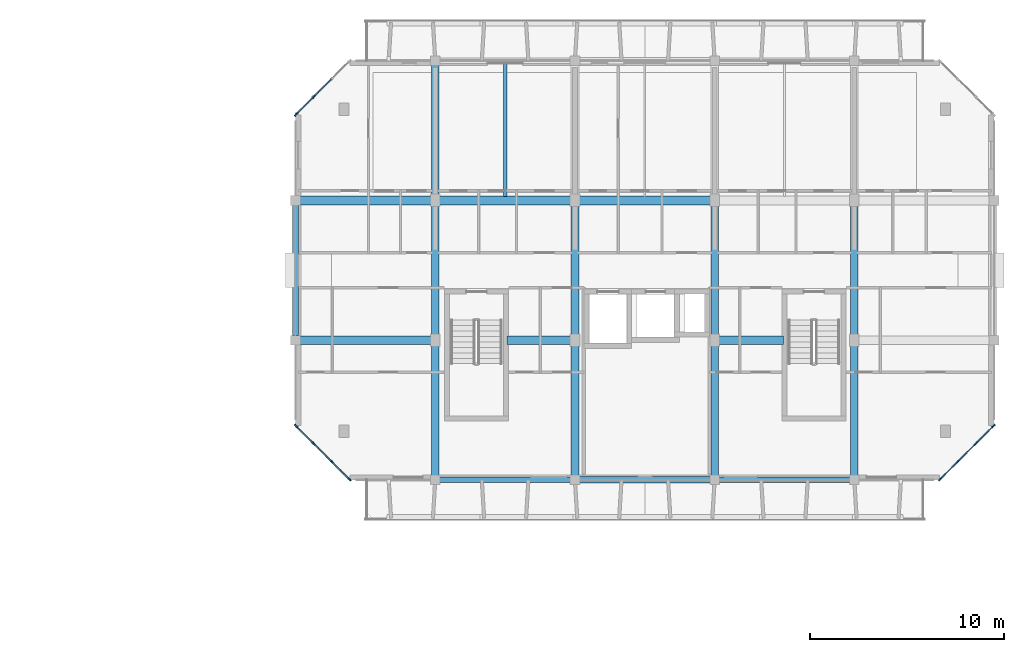
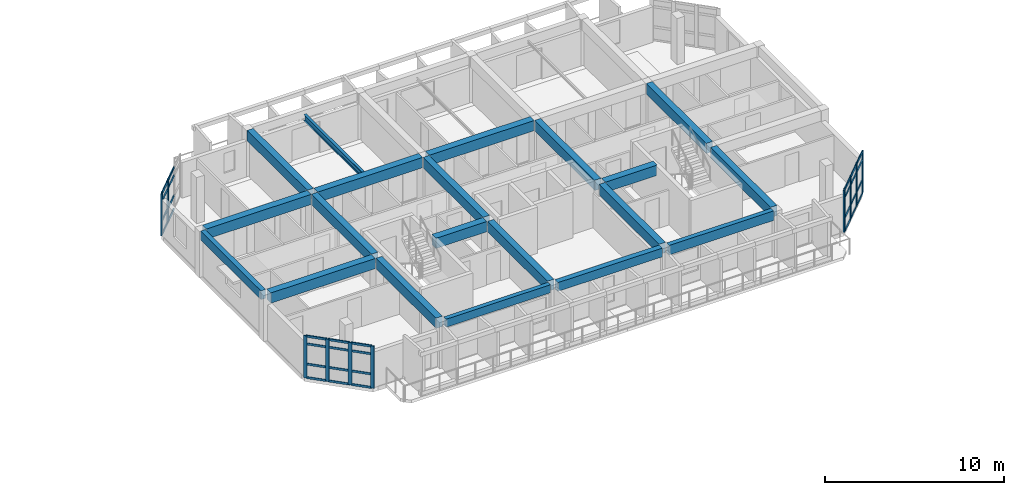
# One storey, part 9 of 44: 42 members, 20 beams, 3 elements without a shape of their own.
"""IFC4 building model written with IfcOpenShell, lengths in metres."""

import ifcopenshell
import ifcopenshell.guid

model = None  # the IFC model being written
_history = None  # IfcOwnerHistory: only IFC2X3 demands one
_inside = {}  # id of a spatial element -> (the spatial element, [elements in it])
_under = {}  # id of a project, library or spatial element -> (it, [spatial elements below it])
_declared = {}  # id of a project -> (the project, [libraries it declares])
_typed = {}  # id of a type object -> (the type object, [elements of that type])
_made_of = {}  # id of a material, layer set ... -> (it, [elements and type objects made of it])


def new_model(schema):
    """Start an empty IFC model of exactly this schema.

    Asked for "IFC4X3", IfcOpenShell would pick the latest addendum, in which some entities
    have other attributes; the version numbers below select the first issue.
    IFC2X3 requires an IfcOwnerHistory on every rooted entity: one is made here for all.
    """
    global model, _history
    if schema == "IFC4X3":
        model = ifcopenshell.file(schema_version=(4, 3, 0, 0))
    else:
        model = ifcopenshell.file(schema=schema)
    _inside.clear()
    _under.clear()
    _declared.clear()
    _typed.clear()
    _made_of.clear()
    _history = None
    if model.schema == "IFC2X3":
        org = make("IfcOrganization", Name="unknown")
        user = make(
            "IfcPersonAndOrganization",
            ThePerson=make("IfcPerson", FamilyName="unknown"),
            TheOrganization=org,
        )
        app = make(
            "IfcApplication",
            ApplicationDeveloper=org,
            Version="unknown",
            ApplicationFullName="unknown",
            ApplicationIdentifier="unknown",
        )
        _history = make(
            "IfcOwnerHistory",
            OwningUser=user,
            OwningApplication=app,
            ChangeAction="ADDED",
            CreationDate=0,
        )
    return model


def make(cls, **values):
    """One entity of the class cls with the attributes given. An attribute that is None is left unset."""
    return model.create_entity(
        cls, **{name: value for name, value in values.items() if value is not None}
    )


def rooted(cls, **values):
    """An entity with a GlobalId (a new one), such as an element, a storey or a relation."""
    return make(cls, GlobalId=ifcopenshell.guid.new(), OwnerHistory=_history, **values)


def si_unit(unit_type, name, prefix=None):
    """IfcSIUnit, for example si_unit("LENGTHUNIT", "METRE", prefix="MILLI")."""
    return make("IfcSIUnit", UnitType=unit_type, Prefix=prefix, Name=name)


def assignment(units):
    """IfcUnitAssignment: the units of a project."""
    return None if units is None else make("IfcUnitAssignment", Units=units)


def point(xyz):
    """IfcCartesianPoint."""
    return None if xyz is None else make("IfcCartesianPoint", Coordinates=xyz)


def direction(xyz):
    """IfcDirection."""
    return None if xyz is None else make("IfcDirection", DirectionRatios=xyz)


def frame(location, z_axis=None, x_axis=None):
    """IfcAxis2Placement3D, a coordinate frame: its origin and axes. An axis left out is left unset."""
    return make(
        "IfcAxis2Placement3D",
        Location=point(location),
        Axis=direction(z_axis),
        RefDirection=direction(x_axis),
    )


def frame_2d(location, x_axis=None):
    """IfcAxis2Placement2D, a coordinate frame in the plane: its origin and x axis."""
    return make(
        "IfcAxis2Placement2D", Location=point(location), RefDirection=direction(x_axis)
    )


def origin():
    """The frame at (0, 0, 0) with its axes left unset."""
    return frame((0.0, 0.0, 0.0))


def origin_2d():
    """The frame at (0, 0) in the plane with its x axis left unset."""
    return frame_2d((0.0, 0.0))


def place(relative_to, where):
    """IfcLocalPlacement: puts the frame where relative to a parent placement (None: the world)."""
    return make(
        "IfcLocalPlacement", PlacementRelTo=relative_to, RelativePlacement=where
    )


def context(
    kind, dimensions, precision=None, world=None, true_north=None, identifier=None
):
    """IfcGeometricRepresentationContext, for example the 3D "Model" context."""
    return make(
        "IfcGeometricRepresentationContext",
        ContextIdentifier=identifier,
        ContextType=kind,
        CoordinateSpaceDimension=dimensions,
        Precision=precision,
        WorldCoordinateSystem=world,
        TrueNorth=true_north,
    )


def subcontext(parent, identifier, kind, view, scale=None):
    """IfcGeometricRepresentationSubContext, for example "Body" below "Model"."""
    return make(
        "IfcGeometricRepresentationSubContext",
        ContextIdentifier=identifier,
        ContextType=kind,
        ParentContext=parent,
        TargetScale=scale,
        TargetView=view,
    )


def project(units=None, contexts=None):
    """IfcProject with its units and contexts."""
    return rooted(
        "IfcProject",
        Name="project",
        RepresentationContexts=contexts,
        UnitsInContext=assignment(units),
    )


def spatial(cls, under=None, at=None, **own):
    """A site, building, storey or space (cls), placed at a placement, below another one or the project."""
    s = rooted(cls, ObjectPlacement=at, **own)
    if under is not None:
        _under.setdefault(under.id(), (under, []))[1].append(s)
    return s


def profile(cls, at=None, kind="AREA", **sizes):
    """A parametric profile (cls). Its sizes go by their IFC names, for example OverallWidth=200.0."""
    return make(cls, ProfileType=kind, Position=at, **sizes)


def rectangle(**sizes):
    """IfcRectangleProfileDef."""
    return profile("IfcRectangleProfileDef", **sizes)


def i_section(**sizes):
    """IfcIShapeProfileDef."""
    return profile("IfcIShapeProfileDef", **sizes)


def extrude(swept, where, along, depth):
    """IfcExtrudedAreaSolid: the profile swept, set in the frame where, extruded along a direction by depth."""
    return make(
        "IfcExtrudedAreaSolid",
        SweptArea=swept,
        Position=where,
        ExtrudedDirection=direction(along),
        Depth=depth,
    )


def shape(context_of_items, identifier, shape_type, items):
    """IfcShapeRepresentation: the items that make up one representation, for example the "Body"."""
    return make(
        "IfcShapeRepresentation",
        ContextOfItems=context_of_items,
        RepresentationIdentifier=identifier,
        RepresentationType=shape_type,
        Items=items,
    )


def material(Name=None, Category=None):
    """IfcMaterial."""
    return make("IfcMaterial", Name=Name, Category=Category)


def layer(
    of_material, thickness, ventilated=None, Name=None, Category=None, Priority=None
):
    """IfcMaterialLayer: one layer of a wall or slab, of a material (None: an air gap)."""
    return make(
        "IfcMaterialLayer",
        Material=of_material,
        LayerThickness=thickness,
        IsVentilated=ventilated,
        Name=Name,
        Category=Category,
        Priority=Priority,
    )


def layer_set(layers, Name=None):
    """IfcMaterialLayerSet."""
    return make("IfcMaterialLayerSet", MaterialLayers=layers, LayerSetName=Name)


def material_profile(
    of_material, cross_section, Name=None, Category=None, Priority=None
):
    """IfcMaterialProfile: a cross section and its material."""
    return make(
        "IfcMaterialProfile",
        Name=Name,
        Material=of_material,
        Profile=cross_section,
        Priority=Priority,
        Category=Category,
    )


def profile_set(profiles, Name=None, composite=None):
    """IfcMaterialProfileSet."""
    return make(
        "IfcMaterialProfileSet",
        Name=Name,
        MaterialProfiles=profiles,
        CompositeProfile=composite,
    )


def made_of(thing, what):
    """Note that an element or type object is made of a material, layer set ...; save() writes the relation."""
    if what is not None:
        _made_of.setdefault(what.id(), (what, []))[1].append(thing)
    return thing


def type_object(cls, material=None, **own):
    """A type object (cls), such as IfcWallType, which elements share."""
    return made_of(rooted(cls, **own), material)


def element(
    cls,
    number,
    at=None,
    inside=None,
    cuts=None,
    type_object=None,
    material=None,
    context=None,
    identifier="Body",
    shape_type=None,
    held_by="IfcProductDefinitionShape",
    body=None,
    shapes=None,
    **own,
):
    """One element of the class cls, such as IfcWall. Its Tag is "e" and its number.

    at: its placement. inside: the storey or other place that contains it. cuts: it is an
    opening in that element (IfcRelVoidsElement). A single representation is given by context,
    identifier, shape_type and body (its items); several are given by shapes. held_by: the class
    of the entity that holds the representations. save() writes the other relations.
    """
    e = rooted(cls, Tag="e%d" % number, ObjectPlacement=at, **own)
    if body is not None:
        shapes = [shape(context, identifier, shape_type, body)]
    if shapes is not None:
        e.Representation = make(held_by, Representations=shapes)
    if inside is not None:
        _inside.setdefault(inside.id(), (inside, []))[1].append(e)
    if cuts is not None:
        rooted(
            "IfcRelVoidsElement", RelatingBuildingElement=cuts, RelatedOpeningElement=e
        )
    if type_object is not None:
        _typed.setdefault(type_object.id(), (type_object, []))[1].append(e)
    return made_of(e, material)


def aggregate(whole, parts):
    """IfcRelAggregates: a whole, such as a stair, and the parts it consists of."""
    return rooted("IfcRelAggregates", RelatingObject=whole, RelatedObjects=parts)


def save(model, path):
    """Write the relations noted so far, then the file.

    IfcRelAggregates (storeys below a building ...), IfcRelContainedInSpatialStructure (elements
    in a storey), IfcRelDefinesByType, IfcRelAssociatesMaterial and IfcRelDeclares: one each for
    every whole, place, type object, material and project.
    """
    for whole, parts in _under.values():
        aggregate(whole, parts)
    for where, things in _inside.values():
        rooted(
            "IfcRelContainedInSpatialStructure",
            RelatedElements=things,
            RelatingStructure=where,
        )
    for kind, things in _typed.values():
        rooted("IfcRelDefinesByType", RelatedObjects=things, RelatingType=kind)
    for what, things in _made_of.values():
        rooted("IfcRelAssociatesMaterial", RelatedObjects=things, RelatingMaterial=what)
    for by, libraries in _declared.values():
        rooted("IfcRelDeclares", RelatingContext=by, RelatedDefinitions=libraries)
    model.write(path)


model = new_model("IFC4")

# Units and contexts
model_context = context("Model", 3, precision=1e-05, world=origin(), true_north=direction((0.0, 1.0)))
body_context = subcontext(model_context, "Body", "Model", "MODEL_VIEW")
ifc_project = project(units=[si_unit("LENGTHUNIT", "METRE"), si_unit("AREAUNIT", "SQUARE_METRE"), si_unit("VOLUMEUNIT", "CUBIC_METRE"), si_unit("PLANEANGLEUNIT", "RADIAN"), si_unit("MASSUNIT", "GRAM", prefix="KILO")], contexts=[model_context])

# Site, building, storey
site_placement = place(None, origin())
site = spatial("IfcSite", under=ifc_project, at=site_placement, CompositionType="ELEMENT")
building_placement = place(site_placement, origin())
building = spatial("IfcBuilding", under=site, at=building_placement, Name="Ochrevale Crest", CompositionType="ELEMENT")
storey_placement = place(building_placement, frame((0.0, 0.0, 21.300048828125)))
storey = spatial("IfcBuildingStorey", under=building, at=storey_placement, Name="L06", CompositionType="ELEMENT", Elevation=21.300048828125)

# Beams
ifc_material_1 = material(Name="Precast concrete C50/60", Category="concrete")
ifc_material_profile_1 = material_profile(ifc_material_1, rectangle(XDim=0.39990234375, YDim=0.699951171875, at=origin_2d()), Name="PC 400x700")
ifc_profile_set_1 = profile_set([ifc_material_profile_1], Name="Precast concrete C50/60")
beam_type_1 = type_object("IfcBeamType", Name="BM-PC400x700", PredefinedType="BEAM", material=ifc_profile_set_1)
for number, where, z_axis, x_axis, name in (
    (1, (136.800048828125, 72.22998046875, 2.800048828125), (0.0, 1.0, 0.0), (-1.0, 0.0, 0.0), "Block D L06 N-S beam X=136.8"),
    (2, (136.800048828125, 79.429931640625, 2.800048828125), (0.0, 1.0, 0.0), (-1.0, 0.0, 0.0), "Block D L06 N-S beam X=136.8"),
):
    element("IfcBeam", number, at=place(storey_placement, frame(where, z_axis=z_axis, x_axis=x_axis)), inside=storey, type_object=beam_type_1, Name=name, PredefinedType="BEAM", context=body_context, shape_type="SweptSolid", body=[
        extrude(rectangle(XDim=0.39990234375, YDim=0.699951171875, at=origin_2d()), origin(), (0.0, 0.0, 1.0), 6.739990234375),
    ])
beam_1_placement = place(storey_placement, frame((136.800048828125, 86.6298828125, 2.800048828125), z_axis=(0.0, 1.0, 0.0), x_axis=(-1.0, 0.0, 0.0)))
element("IfcBeam", 3, at=beam_1_placement, inside=storey, type_object=beam_type_1, Name="Block D L06 N-S beam X=136.8", PredefinedType="BEAM", context=body_context, shape_type="SweptSolid", body=[
    extrude(rectangle(XDim=0.39990234375, YDim=0.699951171875, at=origin_2d()), origin(), (0.0, 0.0, 1.0), 6.740234375),
])
for number, where, z_axis, x_axis, name in (
    (4, (144.0, 72.22998046875, 2.800048828125), (0.0, 1.0, 0.0), (-1.0, 0.0, 0.0), "Block D L06 N-S beam X=144.0"),
    (5, (144.0, 79.429931640625, 2.800048828125), (0.0, 1.0, 0.0), (-1.0, 0.0, 0.0), "Block D L06 N-S beam X=144.0"),
    (6, (151.199951171875, 72.22998046875, 2.800048828125), (0.0, 1.0, 0.0), (-1.0, 0.0, 0.0), "Block D L06 N-S beam X=151.2"),
    (7, (151.199951171875, 79.429931640625, 2.800048828125), (0.0, 1.0, 0.0), (-1.0, 0.0, 0.0), "Block D L06 N-S beam X=151.2"),
    (8, (158.39990234375, 72.22998046875, 2.800048828125), (0.0, 1.0, 0.0), (-1.0, 0.0, 0.0), "Block D L06 N-S beam X=158.4"),
    (9, (158.39990234375, 79.429931640625, 2.800048828125), (0.0, 1.0, 0.0), (-1.0, 0.0, 0.0), "Block D L06 N-S beam X=158.4"),
):
    element("IfcBeam", number, at=place(storey_placement, frame(where, z_axis=z_axis, x_axis=x_axis)), inside=storey, type_object=beam_type_1, Name=name, PredefinedType="BEAM", context=body_context, shape_type="SweptSolid", body=[
        extrude(rectangle(XDim=0.39990234375, YDim=0.699951171875, at=origin_2d()), origin(), (0.0, 0.0, 1.0), 6.739990234375),
    ])
ifc_material_2 = material(Name="Concrete C50/60", Category="concrete")
ifc_material_profile_2 = material_profile(ifc_material_2, rectangle(XDim=0.449951171875, YDim=0.699951171875, at=origin_2d()), Name="RC 450x700")
ifc_profile_set_2 = profile_set([ifc_material_profile_2], Name="Concrete C50/60")
beam_type_2 = type_object("IfcBeamType", Name="BM-PG450x700", PredefinedType="USERDEFINED", material=ifc_profile_set_2)
beam_2_placement = place(storey_placement, frame((129.824951171875, 79.199951171875, 2.800048828125), z_axis=(1.0, 0.0, 0.0), x_axis=(0.0, 1.0, 0.0)))
element("IfcBeam", 10, at=beam_2_placement, inside=storey, type_object=beam_type_2, Name="Block D L06 E-W beam Y=79.2", ObjectType="GIRDER", PredefinedType="USERDEFINED", context=body_context, shape_type="SweptSolid", body=[
    extrude(rectangle(XDim=0.449951171875, YDim=0.699951171875, at=origin_2d()), origin(), (0.0, 0.0, 1.0), 6.75),
])
beam_3_placement = place(storey_placement, frame((140.489990234375, 79.199951171875, 2.800048828125), z_axis=(1.0, 0.0, 0.0), x_axis=(0.0, 1.0, 0.0)))
element("IfcBeam", 11, at=beam_3_placement, inside=storey, type_object=beam_type_2, Name="Block D L06 E-W beam Y=79.2", ObjectType="GIRDER", PredefinedType="USERDEFINED", context=body_context, shape_type="SweptSolid", body=[
    extrude(rectangle(XDim=0.449951171875, YDim=0.699951171875, at=origin_2d()), origin(), (0.0, 0.0, 1.0), 3.284912109375),
])
beam_4_placement = place(storey_placement, frame((151.425048828125, 79.199951171875, 2.800048828125), z_axis=(1.0, 0.0, 0.0), x_axis=(0.0, 1.0, 0.0)))
element("IfcBeam", 12, at=beam_4_placement, inside=storey, type_object=beam_type_2, Name="Block D L06 E-W beam Y=79.2", ObjectType="GIRDER", PredefinedType="USERDEFINED", context=body_context, shape_type="SweptSolid", body=[
    extrude(rectangle(XDim=0.449951171875, YDim=0.699951171875, at=origin_2d()), origin(), (0.0, 0.0, 1.0), 3.3349609375),
])
for number, where, z_axis, x_axis, name in (
    (13, (129.824951171875, 86.39990234375, 2.800048828125), (1.0, 0.0, 0.0), (0.0, 1.0, 0.0), "Block D L06 E-W beam Y=86.4"),
    (14, (137.02490234375, 86.39990234375, 2.800048828125), (1.0, 0.0, 0.0), (0.0, 1.0, 0.0), "Block D L06 E-W beam Y=86.4"),
    (15, (144.22509765625, 86.39990234375, 2.800048828125), (1.0, 0.0, 0.0), (0.0, 1.0, 0.0), "Block D L06 E-W beam Y=86.4"),
):
    element("IfcBeam", number, at=place(storey_placement, frame(where, z_axis=z_axis, x_axis=x_axis)), inside=storey, type_object=beam_type_2, Name=name, ObjectType="GIRDER", PredefinedType="USERDEFINED", context=body_context, shape_type="SweptSolid", body=[
        extrude(rectangle(XDim=0.449951171875, YDim=0.699951171875, at=origin_2d()), origin(), (0.0, 0.0, 1.0), 6.75),
    ])
ifc_material_3 = material(Name="Precast concrete C40/50", Category="concrete")
ifc_material_profile_3 = material_profile(ifc_material_3, rectangle(XDim=0.280029296875, YDim=0.550048828125, at=origin_2d()), Name="PC 280x550")
ifc_profile_set_3 = profile_set([ifc_material_profile_3], Name="Precast concrete C40/50")
beam_type_3 = type_object("IfcBeamType", Name="BM-SP280x550", PredefinedType="SPANDREL", material=ifc_profile_set_3)
beam_5_placement = place(storey_placement, frame((137.02490234375, 72.0, 2.875), z_axis=(1.0, 0.0, 0.0), x_axis=(0.0, 1.0, 0.0)))
element("IfcBeam", 16, at=beam_5_placement, inside=storey, type_object=beam_type_3, Name="Block D L06 E-W beam Y=72.0", PredefinedType="SPANDREL", context=body_context, shape_type="SweptSolid", body=[
    extrude(rectangle(XDim=0.280029296875, YDim=0.550048828125, at=origin_2d()), origin(), (0.0, 0.0, 1.0), 6.75),
])
ifc_material_profile_4 = material_profile(ifc_material_3, rectangle(XDim=0.300048828125, YDim=0.60009765625, at=origin_2d()), Name="PC 300x600")
ifc_profile_set_4 = profile_set([ifc_material_profile_4], Name="Precast concrete C40/50")
beam_type_4 = type_object("IfcBeamType", Name="BM-SP300x600", PredefinedType="SPANDREL", material=ifc_profile_set_4)
beam_6_placement = place(storey_placement, frame((129.60009765625, 79.429931640625, 2.849853515625), z_axis=(0.0, 1.0, 0.0), x_axis=(-1.0, 0.0, 0.0)))
element("IfcBeam", 17, at=beam_6_placement, inside=storey, type_object=beam_type_4, Name="Block D L06 N-S beam X=129.6", PredefinedType="SPANDREL", context=body_context, shape_type="SweptSolid", body=[
    extrude(rectangle(XDim=0.300048828125, YDim=0.60009765625, at=origin_2d()), origin(), (0.0, 0.0, 1.0), 6.739990234375),
])
ifc_material_profile_5 = material_profile(ifc_material_3, rectangle(XDim=0.300048828125, YDim=0.64990234375, at=origin_2d()), Name="PC 300x650")
ifc_profile_set_5 = profile_set([ifc_material_profile_5], Name="Precast concrete C40/50")
beam_type_5 = type_object("IfcBeamType", Name="BM-SP300x650", PredefinedType="SPANDREL", material=ifc_profile_set_5)
beam_7_placement = place(storey_placement, frame((151.425048828125, 72.0, 2.824951171875), z_axis=(1.0, 0.0, 0.0), x_axis=(0.0, 1.0, 0.0)))
element("IfcBeam", 18, at=beam_7_placement, inside=storey, type_object=beam_type_5, Name="Block D L06 E-W beam Y=72.0", PredefinedType="SPANDREL", context=body_context, shape_type="SweptSolid", body=[
    extrude(rectangle(XDim=0.300048828125, YDim=0.64990234375, at=origin_2d()), origin(), (0.0, 0.0, 1.0), 6.75),
])
ifc_material_profile_6 = material_profile(ifc_material_3, rectangle(XDim=0.35009765625, YDim=0.60009765625, at=origin_2d()), Name="PC 350x600")
ifc_profile_set_6 = profile_set([ifc_material_profile_6], Name="Precast concrete C40/50")
beam_type_6 = type_object("IfcBeamType", Name="BM-SP350x600", PredefinedType="SPANDREL", material=ifc_profile_set_6)
beam_8_placement = place(storey_placement, frame((144.22509765625, 72.0, 2.849853515625), z_axis=(1.0, 0.0, 0.0), x_axis=(0.0, 1.0, 0.0)))
element("IfcBeam", 19, at=beam_8_placement, inside=storey, type_object=beam_type_6, Name="Block D L06 E-W beam Y=72.0", PredefinedType="SPANDREL", context=body_context, shape_type="SweptSolid", body=[
    extrude(rectangle(XDim=0.35009765625, YDim=0.60009765625, at=origin_2d()), origin(), (0.0, 0.0, 1.0), 6.75),
])
ifc_material_4 = material(Name="Steel S355", Category="steel")
ifc_material_profile_7 = material_profile(ifc_material_4, i_section(OverallWidth=0.177734375, OverallDepth=0.402587890625, WebThickness=0.007568359375, FlangeThickness=0.010986328125, FilletRadius=0.011474609375, at=origin_2d()), Name="410UB53.7")
ifc_profile_set_7 = profile_set([ifc_material_profile_7], Name="Steel S355")
beam_type_7 = type_object("IfcBeamType", Name="BM-UB410A", PredefinedType="BEAM", material=ifc_profile_set_7)
beam_9_placement = place(storey_placement, frame((140.39990234375, 86.613037109375, 2.673583984375), z_axis=(0.0, 1.0, 0.0), x_axis=(-1.0, 0.0, 0.0)))
element("IfcBeam", 20, at=beam_9_placement, inside=storey, type_object=beam_type_7, Name="Block D L06 composite plank trimmer beam 2", PredefinedType="BEAM", context=body_context, shape_type="SweptSolid", body=[
    extrude(i_section(OverallWidth=0.177734375, OverallDepth=0.402587890625, WebThickness=0.007568359375, FlangeThickness=0.010986328125, FilletRadius=0.011474609375, at=origin_2d()), origin(), (0.0, 0.0, 1.0), 6.85888671875),
])

# Curtain wall, members
ifc_material_5 = material(Name="Anodised aluminium 6063-T5", Category="aluminium")
ifc_layer_1 = layer(ifc_material_5, 0.14990234375)
ifc_layer_set_1 = layer_set([ifc_layer_1], Name="Anodised aluminium 6063-T5")
curtain_wall_type_1 = type_object("IfcCurtainWallType", Name="CW-WG-360x285", PredefinedType="NOTDEFINED", material=ifc_layer_set_1)
curtain_wall_1_placement = place(storey_placement, origin())
curtain_wall_1 = element("IfcCurtainWall", 21, at=curtain_wall_1_placement, inside=storey, type_object=curtain_wall_type_1, Name="Block D L06 chamfered corner wintergarden curtain wall 2", PredefinedType="NOTDEFINED")
ifc_material_profile_8 = material_profile(ifc_material_5, rectangle(XDim=0.074951171875, YDim=0.219970703125, at=origin_2d()), Name="ALU 75x220")
ifc_profile_set_8 = profile_set([ifc_material_profile_8], Name="Anodised aluminium 6063-T5")
member_type_1 = type_object("IfcMemberType", Name="CW-MUL-75x220", PredefinedType="MULLION", material=ifc_profile_set_8)
member_1_placement = place(storey_placement, frame((162.826416015625, 72.026611328125, 0.0), z_axis=(0.0, 0.0, 1.0), x_axis=(-0.707106781187, 0.707106781187, 0.0)))
member_1 = element("IfcMember", 22, at=member_1_placement, type_object=member_type_1, Name="CW18 mullion 1", PredefinedType="MULLION", context=body_context, shape_type="SweptSolid", body=[
    extrude(rectangle(XDim=0.074951171875, YDim=0.219970703125, at=origin_2d()), origin(), (0.0, 0.0, 1.0), 2.875),
])
member_2_placement = place(storey_placement, frame((163.7333984375, 72.933349609375, 0.0), z_axis=(0.0, 0.0, 1.0), x_axis=(-0.707106781187, 0.707106781187, 0.0)))
member_2 = element("IfcMember", 23, at=member_2_placement, type_object=member_type_1, Name="CW18 mullion 2", PredefinedType="MULLION", context=body_context, shape_type="SweptSolid", body=[
    extrude(rectangle(XDim=0.074951171875, YDim=0.219970703125, at=origin_2d()), origin(), (0.0, 0.0, 1.0), 2.875),
])
member_3_placement = place(storey_placement, frame((164.666748046875, 73.86669921875, 0.0), z_axis=(0.0, 0.0, 1.0), x_axis=(-0.707106781187, 0.707106781187, 0.0)))
member_3 = element("IfcMember", 24, at=member_3_placement, type_object=member_type_1, Name="CW18 mullion 3", PredefinedType="MULLION", context=body_context, shape_type="SweptSolid", body=[
    extrude(rectangle(XDim=0.074951171875, YDim=0.219970703125, at=origin_2d()), origin(), (0.0, 0.0, 1.0), 2.875),
])
member_4_placement = place(storey_placement, frame((165.573486328125, 74.7734375, 0.0), z_axis=(0.0, 0.0, 1.0), x_axis=(-0.707106781187, 0.707106781187, 0.0)))
member_4 = element("IfcMember", 25, at=member_4_placement, type_object=member_type_1, Name="CW18 mullion 4", PredefinedType="MULLION", context=body_context, shape_type="SweptSolid", body=[
    extrude(rectangle(XDim=0.074951171875, YDim=0.219970703125, at=origin_2d()), origin(), (0.0, 0.0, 1.0), 2.875),
])

ifc_layer_2 = layer(ifc_material_5, 0.14990234375)
ifc_layer_set_2 = layer_set([ifc_layer_2], Name="Anodised aluminium 6063-T5")
curtain_wall_type_2 = type_object("IfcCurtainWallType", Name="CW-WG-320x285", PredefinedType="NOTDEFINED", material=ifc_layer_set_2)
curtain_wall_2_placement = place(storey_placement, origin())
curtain_wall_2 = element("IfcCurtainWall", 26, at=curtain_wall_2_placement, inside=storey, type_object=curtain_wall_type_2, Name="Block D L06 chamfered corner wintergarden curtain wall 6", PredefinedType="NOTDEFINED")
member_5_placement = place(storey_placement, frame((130.533447265625, 91.7333984375, 0.0), z_axis=(0.0, 0.0, 1.0), x_axis=(0.707106781187, -0.707106781187, 0.0)))
member_5 = element("IfcMember", 27, at=member_5_placement, type_object=member_type_1, Name="CW17 mullion 3", PredefinedType="MULLION", context=body_context, shape_type="SweptSolid", body=[
    extrude(rectangle(XDim=0.074951171875, YDim=0.219970703125, at=origin_2d()), origin(), (0.0, 0.0, 1.0), 2.875),
])
member_6_placement = place(storey_placement, frame((129.62646484375, 90.826416015625, 0.0), z_axis=(0.0, 0.0, 1.0), x_axis=(0.707106781187, -0.707106781187, 0.0)))
member_6 = element("IfcMember", 28, at=member_6_placement, type_object=member_type_1, Name="CW17 mullion 4", PredefinedType="MULLION", context=body_context, shape_type="SweptSolid", body=[
    extrude(rectangle(XDim=0.074951171875, YDim=0.219970703125, at=origin_2d()), origin(), (0.0, 0.0, 1.0), 2.875),
])

ifc_layer_3 = layer(ifc_material_5, 0.14990234375)
ifc_layer_set_3 = layer_set([ifc_layer_3], Name="Anodised aluminium 6063-T5")
curtain_wall_type_3 = type_object("IfcCurtainWallType", Name="CW-WG-420x285", PredefinedType="NOTDEFINED", material=ifc_layer_set_3)
curtain_wall_3_placement = place(storey_placement, origin())
curtain_wall_3 = element("IfcCurtainWall", 29, at=curtain_wall_3_placement, inside=storey, type_object=curtain_wall_type_3, Name="Block D L06 chamfered corner wintergarden curtain wall 8", PredefinedType="NOTDEFINED")
member_7_placement = place(storey_placement, frame((129.62646484375, 74.7734375, 0.0), z_axis=(0.0, 0.0, 1.0), x_axis=(0.707106781187, 0.707106781187, 0.0)))
member_7 = element("IfcMember", 30, at=member_7_placement, type_object=member_type_1, Name="CW22 mullion 1", PredefinedType="MULLION", context=body_context, shape_type="SweptSolid", body=[
    extrude(rectangle(XDim=0.074951171875, YDim=0.219970703125, at=origin_2d()), origin(), (0.0, 0.0, 1.0), 2.875),
])
member_8_placement = place(storey_placement, frame((130.533447265625, 73.86669921875, 0.0), z_axis=(0.0, 0.0, 1.0), x_axis=(0.707106781187, 0.707106781187, 0.0)))
member_8 = element("IfcMember", 31, at=member_8_placement, type_object=member_type_1, Name="CW22 mullion 2", PredefinedType="MULLION", context=body_context, shape_type="SweptSolid", body=[
    extrude(rectangle(XDim=0.074951171875, YDim=0.219970703125, at=origin_2d()), origin(), (0.0, 0.0, 1.0), 2.875),
])
member_9_placement = place(storey_placement, frame((131.466552734375, 72.933349609375, 0.0), z_axis=(0.0, 0.0, 1.0), x_axis=(0.707106781187, 0.707106781187, 0.0)))
member_9 = element("IfcMember", 32, at=member_9_placement, type_object=member_type_1, Name="CW22 mullion 3", PredefinedType="MULLION", context=body_context, shape_type="SweptSolid", body=[
    extrude(rectangle(XDim=0.074951171875, YDim=0.219970703125, at=origin_2d()), origin(), (0.0, 0.0, 1.0), 2.875),
])
member_10_placement = place(storey_placement, frame((132.37353515625, 72.026611328125, 0.0), z_axis=(0.0, 0.0, 1.0), x_axis=(0.707106781187, 0.707106781187, 0.0)))
member_10 = element("IfcMember", 33, at=member_10_placement, type_object=member_type_1, Name="CW22 mullion 4", PredefinedType="MULLION", context=body_context, shape_type="SweptSolid", body=[
    extrude(rectangle(XDim=0.074951171875, YDim=0.219970703125, at=origin_2d()), origin(), (0.0, 0.0, 1.0), 2.875),
])

# Member
ifc_material_profile_9 = material_profile(ifc_material_5, rectangle(XDim=0.06005859375, YDim=0.14990234375, at=origin_2d()), Name="ALU 60x150")
ifc_profile_set_9 = profile_set([ifc_material_profile_9], Name="Anodised aluminium 6063-T5")
member_type_2 = type_object("IfcMemberType", Name="CW-TRN-60x150", PredefinedType="USERDEFINED", material=ifc_profile_set_9)
member_11_placement = place(storey_placement, frame((162.85302734375, 72.052978515625, 0.030029296875), z_axis=(0.707106781187, 0.707106781187, 0.0), x_axis=(-0.707106781187, 0.707106781187, 0.0)))
member_11 = element("IfcMember", 34, at=member_11_placement, type_object=member_type_2, Name="CW18 transom 1.1", ObjectType="TRANSOM", PredefinedType="USERDEFINED", context=body_context, shape_type="SweptSolid", body=[
    extrude(rectangle(XDim=0.06005859375, YDim=0.14990234375, at=origin_2d()), origin(), (0.0, 0.0, 1.0), 1.20751953125),
])

member_12_placement = place(storey_placement, frame((162.85302734375, 72.052978515625, 0.949951171875), z_axis=(0.707106781187, 0.707106781187, 0.0), x_axis=(-0.707106781187, 0.707106781187, 0.0)))
member_12 = element("IfcMember", 35, at=member_12_placement, type_object=member_type_2, Name="CW18 transom 1.2", ObjectType="TRANSOM", PredefinedType="USERDEFINED", context=body_context, shape_type="SweptSolid", body=[
    extrude(rectangle(XDim=0.06005859375, YDim=0.14990234375, at=origin_2d()), origin(), (0.0, 0.0, 1.0), 1.20751953125),
])

member_13_placement = place(storey_placement, frame((162.85302734375, 72.052978515625, 2.324951171875), z_axis=(0.707106781187, 0.707106781187, 0.0), x_axis=(-0.707106781187, 0.707106781187, 0.0)))
member_13 = element("IfcMember", 36, at=member_13_placement, type_object=member_type_2, Name="CW18 transom 1.3", ObjectType="TRANSOM", PredefinedType="USERDEFINED", context=body_context, shape_type="SweptSolid", body=[
    extrude(rectangle(XDim=0.06005859375, YDim=0.14990234375, at=origin_2d()), origin(), (0.0, 0.0, 1.0), 1.20751953125),
])

member_14_placement = place(storey_placement, frame((162.85302734375, 72.052978515625, 2.844970703125), z_axis=(0.707106781187, 0.707106781187, 0.0), x_axis=(-0.707106781187, 0.707106781187, 0.0)))
member_14 = element("IfcMember", 37, at=member_14_placement, type_object=member_type_2, Name="CW18 transom 1.4", ObjectType="TRANSOM", PredefinedType="USERDEFINED", context=body_context, shape_type="SweptSolid", body=[
    extrude(rectangle(XDim=0.06005859375, YDim=0.14990234375, at=origin_2d()), origin(), (0.0, 0.0, 1.0), 1.20751953125),
])

member_15_placement = place(storey_placement, frame((163.759765625, 72.9599609375, 0.030029296875), z_axis=(0.707204833848, 0.707008714926, 0.0), x_axis=(-0.707008714926, 0.707204833848, 0.0)))
member_15 = element("IfcMember", 38, at=member_15_placement, type_object=member_type_2, Name="CW18 transom 2.1", ObjectType="TRANSOM", PredefinedType="USERDEFINED", context=body_context, shape_type="SweptSolid", body=[
    extrude(rectangle(XDim=0.06005859375, YDim=0.14990234375, at=origin_2d()), origin(), (0.0, 0.0, 1.0), 1.244873046875),
])

member_16_placement = place(storey_placement, frame((163.759765625, 72.9599609375, 0.949951171875), z_axis=(0.707204833848, 0.707008714926, 0.0), x_axis=(-0.707008714926, 0.707204833848, 0.0)))
member_16 = element("IfcMember", 39, at=member_16_placement, type_object=member_type_2, Name="CW18 transom 2.2", ObjectType="TRANSOM", PredefinedType="USERDEFINED", context=body_context, shape_type="SweptSolid", body=[
    extrude(rectangle(XDim=0.06005859375, YDim=0.14990234375, at=origin_2d()), origin(), (0.0, 0.0, 1.0), 1.244873046875),
])

member_17_placement = place(storey_placement, frame((163.759765625, 72.9599609375, 2.324951171875), z_axis=(0.707204833848, 0.707008714926, 0.0), x_axis=(-0.707008714926, 0.707204833848, 0.0)))
member_17 = element("IfcMember", 40, at=member_17_placement, type_object=member_type_2, Name="CW18 transom 2.3", ObjectType="TRANSOM", PredefinedType="USERDEFINED", context=body_context, shape_type="SweptSolid", body=[
    extrude(rectangle(XDim=0.06005859375, YDim=0.14990234375, at=origin_2d()), origin(), (0.0, 0.0, 1.0), 1.244873046875),
])

member_18_placement = place(storey_placement, frame((163.759765625, 72.9599609375, 2.844970703125), z_axis=(0.707204833848, 0.707008714926, 0.0), x_axis=(-0.707008714926, 0.707204833848, 0.0)))
member_18 = element("IfcMember", 41, at=member_18_placement, type_object=member_type_2, Name="CW18 transom 2.4", ObjectType="TRANSOM", PredefinedType="USERDEFINED", context=body_context, shape_type="SweptSolid", body=[
    extrude(rectangle(XDim=0.06005859375, YDim=0.14990234375, at=origin_2d()), origin(), (0.0, 0.0, 1.0), 1.244873046875),
])

member_19_placement = place(storey_placement, frame((164.693115234375, 73.89306640625, 0.030029296875), z_axis=(0.707005686502, 0.70720786142, 0.0), x_axis=(-0.70720786142, 0.707005686502, 0.0)))
member_19 = element("IfcMember", 42, at=member_19_placement, type_object=member_type_2, Name="CW18 transom 3.1", ObjectType="TRANSOM", PredefinedType="USERDEFINED", context=body_context, shape_type="SweptSolid", body=[
    extrude(rectangle(XDim=0.06005859375, YDim=0.14990234375, at=origin_2d()), origin(), (0.0, 0.0, 1.0), 1.20751953125),
])

member_20_placement = place(storey_placement, frame((164.693115234375, 73.89306640625, 0.949951171875), z_axis=(0.707005686502, 0.70720786142, 0.0), x_axis=(-0.70720786142, 0.707005686502, 0.0)))
member_20 = element("IfcMember", 43, at=member_20_placement, type_object=member_type_2, Name="CW18 transom 3.2", ObjectType="TRANSOM", PredefinedType="USERDEFINED", context=body_context, shape_type="SweptSolid", body=[
    extrude(rectangle(XDim=0.06005859375, YDim=0.14990234375, at=origin_2d()), origin(), (0.0, 0.0, 1.0), 1.20751953125),
])

member_21_placement = place(storey_placement, frame((164.693115234375, 73.89306640625, 2.324951171875), z_axis=(0.707005686502, 0.70720786142, 0.0), x_axis=(-0.70720786142, 0.707005686502, 0.0)))
member_21 = element("IfcMember", 44, at=member_21_placement, type_object=member_type_2, Name="CW18 transom 3.3", ObjectType="TRANSOM", PredefinedType="USERDEFINED", context=body_context, shape_type="SweptSolid", body=[
    extrude(rectangle(XDim=0.06005859375, YDim=0.14990234375, at=origin_2d()), origin(), (0.0, 0.0, 1.0), 1.20751953125),
])

member_22_placement = place(storey_placement, frame((164.693115234375, 73.89306640625, 2.844970703125), z_axis=(0.707005686502, 0.70720786142, 0.0), x_axis=(-0.70720786142, 0.707005686502, 0.0)))
member_22 = element("IfcMember", 45, at=member_22_placement, type_object=member_type_2, Name="CW18 transom 3.4", ObjectType="TRANSOM", PredefinedType="USERDEFINED", context=body_context, shape_type="SweptSolid", body=[
    extrude(rectangle(XDim=0.06005859375, YDim=0.14990234375, at=origin_2d()), origin(), (0.0, 0.0, 1.0), 1.20751953125),
])

aggregate(curtain_wall_1, [member_1, member_2, member_3, member_4, member_11, member_12, member_13, member_14, member_15, member_16, member_17, member_18, member_19, member_20, member_21, member_22])

member_23_placement = place(storey_placement, frame((131.440185546875, 92.64013671875, 0.030029296875), z_axis=(-0.707106781187, -0.707106781187, 0.0), x_axis=(0.707106781187, -0.707106781187, 0.0)))
member_23 = element("IfcMember", 46, at=member_23_placement, type_object=member_type_2, Name="CW17 transom 2.1", ObjectType="TRANSOM", PredefinedType="USERDEFINED", context=body_context, shape_type="SweptSolid", body=[
    extrude(rectangle(XDim=0.06005859375, YDim=0.14990234375, at=origin_2d()), origin(), (0.0, 0.0, 1.0), 1.2451171875),
])

member_24_placement = place(storey_placement, frame((131.440185546875, 92.64013671875, 0.949951171875), z_axis=(-0.707106781187, -0.707106781187, 0.0), x_axis=(0.707106781187, -0.707106781187, 0.0)))
member_24 = element("IfcMember", 47, at=member_24_placement, type_object=member_type_2, Name="CW17 transom 2.2", ObjectType="TRANSOM", PredefinedType="USERDEFINED", context=body_context, shape_type="SweptSolid", body=[
    extrude(rectangle(XDim=0.06005859375, YDim=0.14990234375, at=origin_2d()), origin(), (0.0, 0.0, 1.0), 1.2451171875),
])

member_25_placement = place(storey_placement, frame((131.440185546875, 92.64013671875, 2.324951171875), z_axis=(-0.707106781187, -0.707106781187, 0.0), x_axis=(0.707106781187, -0.707106781187, 0.0)))
member_25 = element("IfcMember", 48, at=member_25_placement, type_object=member_type_2, Name="CW17 transom 2.3", ObjectType="TRANSOM", PredefinedType="USERDEFINED", context=body_context, shape_type="SweptSolid", body=[
    extrude(rectangle(XDim=0.06005859375, YDim=0.14990234375, at=origin_2d()), origin(), (0.0, 0.0, 1.0), 1.2451171875),
])

member_26_placement = place(storey_placement, frame((131.440185546875, 92.64013671875, 2.844970703125), z_axis=(-0.707106781187, -0.707106781187, 0.0), x_axis=(0.707106781187, -0.707106781187, 0.0)))
member_26 = element("IfcMember", 49, at=member_26_placement, type_object=member_type_2, Name="CW17 transom 2.4", ObjectType="TRANSOM", PredefinedType="USERDEFINED", context=body_context, shape_type="SweptSolid", body=[
    extrude(rectangle(XDim=0.06005859375, YDim=0.14990234375, at=origin_2d()), origin(), (0.0, 0.0, 1.0), 1.2451171875),
])

member_27_placement = place(storey_placement, frame((130.5068359375, 91.706787109375, 0.030029296875), z_axis=(-0.707106781187, -0.707106781187, 0.0), x_axis=(0.707106781187, -0.707106781187, 0.0)))
member_27 = element("IfcMember", 50, at=member_27_placement, type_object=member_type_2, Name="CW17 transom 3.1", ObjectType="TRANSOM", PredefinedType="USERDEFINED", context=body_context, shape_type="SweptSolid", body=[
    extrude(rectangle(XDim=0.06005859375, YDim=0.14990234375, at=origin_2d()), origin(), (0.0, 0.0, 1.0), 1.20751953125),
])

member_28_placement = place(storey_placement, frame((130.5068359375, 91.706787109375, 0.949951171875), z_axis=(-0.707106781187, -0.707106781187, 0.0), x_axis=(0.707106781187, -0.707106781187, 0.0)))
member_28 = element("IfcMember", 51, at=member_28_placement, type_object=member_type_2, Name="CW17 transom 3.2", ObjectType="TRANSOM", PredefinedType="USERDEFINED", context=body_context, shape_type="SweptSolid", body=[
    extrude(rectangle(XDim=0.06005859375, YDim=0.14990234375, at=origin_2d()), origin(), (0.0, 0.0, 1.0), 1.20751953125),
])

member_29_placement = place(storey_placement, frame((130.5068359375, 91.706787109375, 2.324951171875), z_axis=(-0.707106781187, -0.707106781187, 0.0), x_axis=(0.707106781187, -0.707106781187, 0.0)))
member_29 = element("IfcMember", 52, at=member_29_placement, type_object=member_type_2, Name="CW17 transom 3.3", ObjectType="TRANSOM", PredefinedType="USERDEFINED", context=body_context, shape_type="SweptSolid", body=[
    extrude(rectangle(XDim=0.06005859375, YDim=0.14990234375, at=origin_2d()), origin(), (0.0, 0.0, 1.0), 1.20751953125),
])

member_30_placement = place(storey_placement, frame((130.5068359375, 91.706787109375, 2.844970703125), z_axis=(-0.707106781187, -0.707106781187, 0.0), x_axis=(0.707106781187, -0.707106781187, 0.0)))
member_30 = element("IfcMember", 53, at=member_30_placement, type_object=member_type_2, Name="CW17 transom 3.4", ObjectType="TRANSOM", PredefinedType="USERDEFINED", context=body_context, shape_type="SweptSolid", body=[
    extrude(rectangle(XDim=0.06005859375, YDim=0.14990234375, at=origin_2d()), origin(), (0.0, 0.0, 1.0), 1.20751953125),
])

aggregate(curtain_wall_2, [member_5, member_6, member_23, member_24, member_25, member_26, member_27, member_28, member_29, member_30])

member_31_placement = place(storey_placement, frame((129.653076171875, 74.7470703125, 0.030029296875), z_axis=(0.707005686502, -0.70720786142, 0.0), x_axis=(0.70720786142, 0.707005686502, 0.0)))
member_31 = element("IfcMember", 54, at=member_31_placement, type_object=member_type_2, Name="CW22 transom 1.1", ObjectType="TRANSOM", PredefinedType="USERDEFINED", context=body_context, shape_type="SweptSolid", body=[
    extrude(rectangle(XDim=0.06005859375, YDim=0.14990234375, at=origin_2d()), origin(), (0.0, 0.0, 1.0), 1.20751953125),
])

member_32_placement = place(storey_placement, frame((129.653076171875, 74.7470703125, 0.949951171875), z_axis=(0.707005686502, -0.70720786142, 0.0), x_axis=(0.70720786142, 0.707005686502, 0.0)))
member_32 = element("IfcMember", 55, at=member_32_placement, type_object=member_type_2, Name="CW22 transom 1.2", ObjectType="TRANSOM", PredefinedType="USERDEFINED", context=body_context, shape_type="SweptSolid", body=[
    extrude(rectangle(XDim=0.06005859375, YDim=0.14990234375, at=origin_2d()), origin(), (0.0, 0.0, 1.0), 1.20751953125),
])

member_33_placement = place(storey_placement, frame((129.653076171875, 74.7470703125, 2.324951171875), z_axis=(0.707005686502, -0.70720786142, 0.0), x_axis=(0.70720786142, 0.707005686502, 0.0)))
member_33 = element("IfcMember", 56, at=member_33_placement, type_object=member_type_2, Name="CW22 transom 1.3", ObjectType="TRANSOM", PredefinedType="USERDEFINED", context=body_context, shape_type="SweptSolid", body=[
    extrude(rectangle(XDim=0.06005859375, YDim=0.14990234375, at=origin_2d()), origin(), (0.0, 0.0, 1.0), 1.20751953125),
])

member_34_placement = place(storey_placement, frame((129.653076171875, 74.7470703125, 2.844970703125), z_axis=(0.707005686502, -0.70720786142, 0.0), x_axis=(0.70720786142, 0.707005686502, 0.0)))
member_34 = element("IfcMember", 57, at=member_34_placement, type_object=member_type_2, Name="CW22 transom 1.4", ObjectType="TRANSOM", PredefinedType="USERDEFINED", context=body_context, shape_type="SweptSolid", body=[
    extrude(rectangle(XDim=0.06005859375, YDim=0.14990234375, at=origin_2d()), origin(), (0.0, 0.0, 1.0), 1.20751953125),
])

member_35_placement = place(storey_placement, frame((130.559814453125, 73.840087890625, 0.030029296875), z_axis=(0.707204833848, -0.707008714926, 0.0), x_axis=(0.707008714926, 0.707204833848, 0.0)))
member_35 = element("IfcMember", 58, at=member_35_placement, type_object=member_type_2, Name="CW22 transom 2.1", ObjectType="TRANSOM", PredefinedType="USERDEFINED", context=body_context, shape_type="SweptSolid", body=[
    extrude(rectangle(XDim=0.06005859375, YDim=0.14990234375, at=origin_2d()), origin(), (0.0, 0.0, 1.0), 1.244873046875),
])

member_36_placement = place(storey_placement, frame((130.559814453125, 73.840087890625, 0.949951171875), z_axis=(0.707204833848, -0.707008714926, 0.0), x_axis=(0.707008714926, 0.707204833848, 0.0)))
member_36 = element("IfcMember", 59, at=member_36_placement, type_object=member_type_2, Name="CW22 transom 2.2", ObjectType="TRANSOM", PredefinedType="USERDEFINED", context=body_context, shape_type="SweptSolid", body=[
    extrude(rectangle(XDim=0.06005859375, YDim=0.14990234375, at=origin_2d()), origin(), (0.0, 0.0, 1.0), 1.244873046875),
])

member_37_placement = place(storey_placement, frame((130.559814453125, 73.840087890625, 2.324951171875), z_axis=(0.707204833848, -0.707008714926, 0.0), x_axis=(0.707008714926, 0.707204833848, 0.0)))
member_37 = element("IfcMember", 60, at=member_37_placement, type_object=member_type_2, Name="CW22 transom 2.3", ObjectType="TRANSOM", PredefinedType="USERDEFINED", context=body_context, shape_type="SweptSolid", body=[
    extrude(rectangle(XDim=0.06005859375, YDim=0.14990234375, at=origin_2d()), origin(), (0.0, 0.0, 1.0), 1.244873046875),
])

member_38_placement = place(storey_placement, frame((130.559814453125, 73.840087890625, 2.844970703125), z_axis=(0.707204833848, -0.707008714926, 0.0), x_axis=(0.707008714926, 0.707204833848, 0.0)))
member_38 = element("IfcMember", 61, at=member_38_placement, type_object=member_type_2, Name="CW22 transom 2.4", ObjectType="TRANSOM", PredefinedType="USERDEFINED", context=body_context, shape_type="SweptSolid", body=[
    extrude(rectangle(XDim=0.06005859375, YDim=0.14990234375, at=origin_2d()), origin(), (0.0, 0.0, 1.0), 1.244873046875),
])

member_39_placement = place(storey_placement, frame((131.4931640625, 72.90673828125, 0.030029296875), z_axis=(0.707106781187, -0.707106781187, 0.0), x_axis=(0.707106781187, 0.707106781187, 0.0)))
member_39 = element("IfcMember", 62, at=member_39_placement, type_object=member_type_2, Name="CW22 transom 3.1", ObjectType="TRANSOM", PredefinedType="USERDEFINED", context=body_context, shape_type="SweptSolid", body=[
    extrude(rectangle(XDim=0.06005859375, YDim=0.14990234375, at=origin_2d()), origin(), (0.0, 0.0, 1.0), 1.20751953125),
])

member_40_placement = place(storey_placement, frame((131.4931640625, 72.90673828125, 0.949951171875), z_axis=(0.707106781187, -0.707106781187, 0.0), x_axis=(0.707106781187, 0.707106781187, 0.0)))
member_40 = element("IfcMember", 63, at=member_40_placement, type_object=member_type_2, Name="CW22 transom 3.2", ObjectType="TRANSOM", PredefinedType="USERDEFINED", context=body_context, shape_type="SweptSolid", body=[
    extrude(rectangle(XDim=0.06005859375, YDim=0.14990234375, at=origin_2d()), origin(), (0.0, 0.0, 1.0), 1.20751953125),
])

member_41_placement = place(storey_placement, frame((131.4931640625, 72.90673828125, 2.324951171875), z_axis=(0.707106781187, -0.707106781187, 0.0), x_axis=(0.707106781187, 0.707106781187, 0.0)))
member_41 = element("IfcMember", 64, at=member_41_placement, type_object=member_type_2, Name="CW22 transom 3.3", ObjectType="TRANSOM", PredefinedType="USERDEFINED", context=body_context, shape_type="SweptSolid", body=[
    extrude(rectangle(XDim=0.06005859375, YDim=0.14990234375, at=origin_2d()), origin(), (0.0, 0.0, 1.0), 1.20751953125),
])

member_42_placement = place(storey_placement, frame((131.4931640625, 72.90673828125, 2.844970703125), z_axis=(0.707106781187, -0.707106781187, 0.0), x_axis=(0.707106781187, 0.707106781187, 0.0)))
member_42 = element("IfcMember", 65, at=member_42_placement, type_object=member_type_2, Name="CW22 transom 3.4", ObjectType="TRANSOM", PredefinedType="USERDEFINED", context=body_context, shape_type="SweptSolid", body=[
    extrude(rectangle(XDim=0.06005859375, YDim=0.14990234375, at=origin_2d()), origin(), (0.0, 0.0, 1.0), 1.20751953125),
])

aggregate(curtain_wall_3, [member_7, member_8, member_9, member_10, member_31, member_32, member_33, member_34, member_35, member_36, member_37, member_38, member_39, member_40, member_41, member_42])

save(model, "model.ifc")
